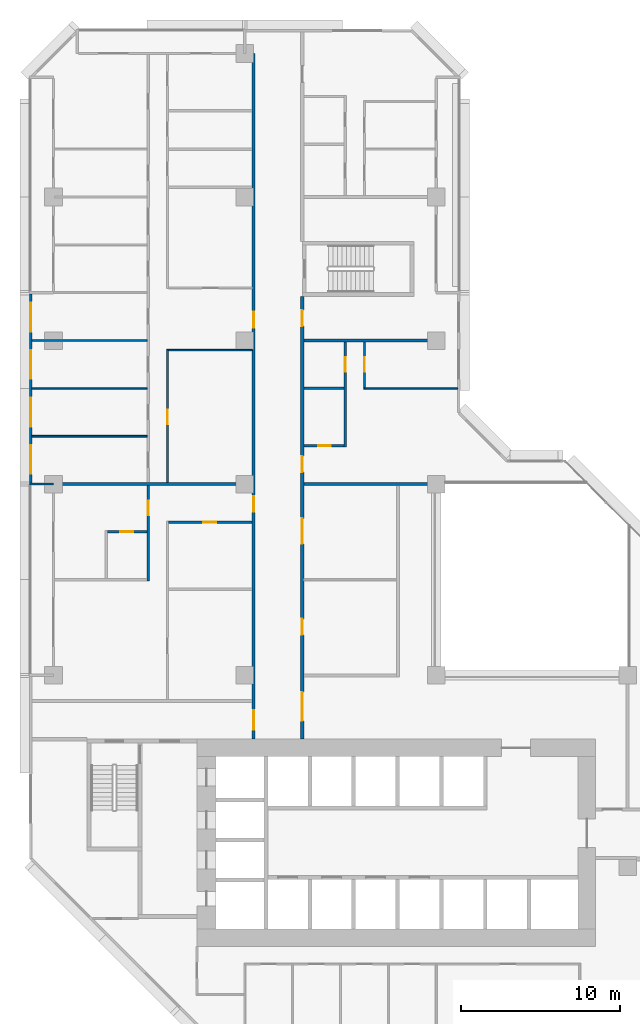
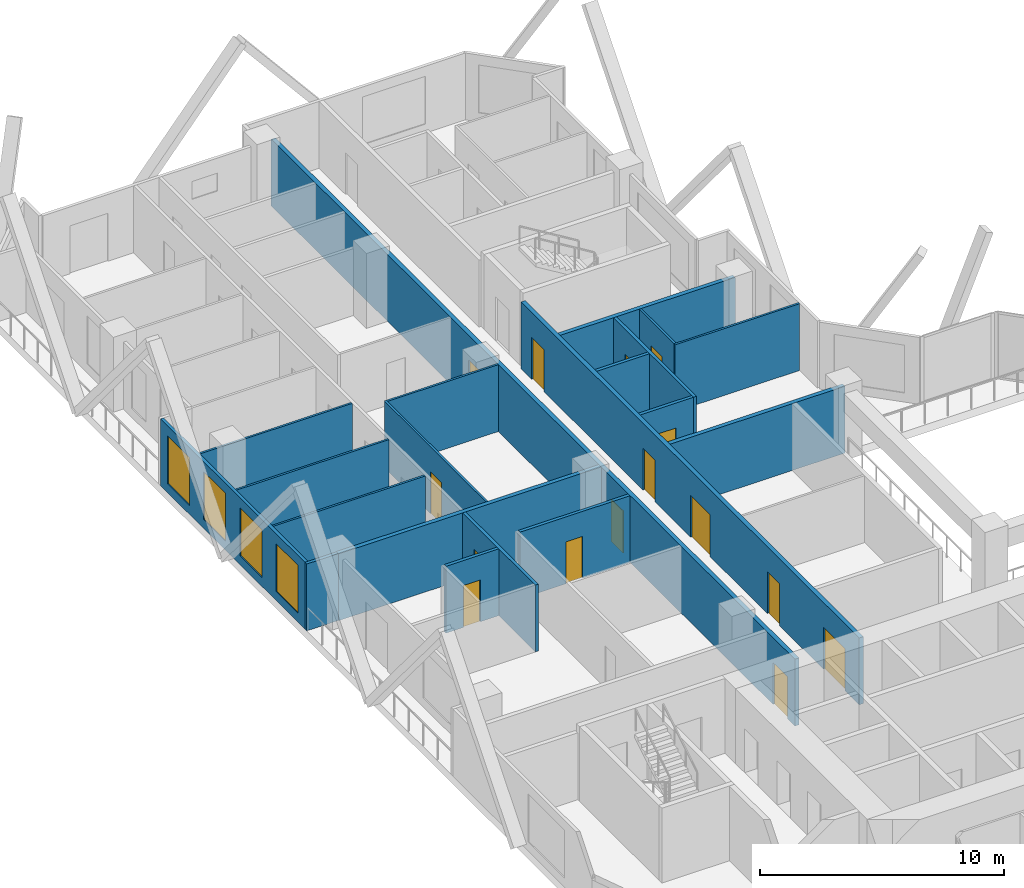
# One storey, part 8 of 15: 20 walls, 15 doors, 4 windows, 19 openings.
"""IFC4 building model written with IfcOpenShell, lengths in metres."""

from ifc_helpers import new_model, si_unit, direction, frame, frame_2d, origin, place, context, subcontext, project, spatial, rectangle, extrude, material, layer, layer_set, type_object, element, fill, save


model = new_model("IFC4")

# Units and contexts
model_context = context("Model", 3, precision=1e-05, world=origin(), true_north=direction((0.0, 1.0)))
body_context = subcontext(model_context, "Body", "Model", "MODEL_VIEW")
ifc_project = project(units=[si_unit("LENGTHUNIT", "METRE"), si_unit("AREAUNIT", "SQUARE_METRE"), si_unit("VOLUMEUNIT", "CUBIC_METRE"), si_unit("PLANEANGLEUNIT", "RADIAN"), si_unit("MASSUNIT", "GRAM", prefix="KILO")], contexts=[model_context])

# Site, building, storey
site_placement = place(None, origin())
site = spatial("IfcSite", under=ifc_project, at=site_placement, CompositionType="ELEMENT")
building_placement = place(site_placement, origin())
building = spatial("IfcBuilding", under=site, at=building_placement, Name="Chenar Terraces", CompositionType="ELEMENT")
storey_placement = place(building_placement, frame((0.0, 0.0, 63.89990234375)))
storey = spatial("IfcBuildingStorey", under=building, at=storey_placement, Name="L13", CompositionType="ELEMENT", Elevation=63.89990234375)

# Wall, openings, doors
ifc_material_1 = material(Name="Gypsum board on steel studs with fire boards", Category="steel")
ifc_layer_1 = layer(ifc_material_1, 0.199951171875)
ifc_layer_set_1 = layer_set([ifc_layer_1], Name="Gypsum board on steel studs with fire boards")
wall_type_1 = type_object("IfcWallType", Name="Corridor wall 200", PredefinedType="PARTITIONING", material=ifc_layer_set_1)
wall_1_placement = place(storey_placement, frame((12.550048828125, 20.0, 0.0), z_axis=(0.0, 0.0, 1.0), x_axis=(0.0, 1.0, 0.0)))
wall_1 = element("IfcWall", 1, at=wall_1_placement, inside=storey, type_object=wall_type_1, Name="Partition L13-031", PredefinedType="PARTITIONING", context=body_context, shape_type="SweptSolid", body=[
    extrude(rectangle(XDim=43.0, YDim=0.199951171875, at=frame_2d((21.5, 0.0))), origin(), (0.0, 0.0, 1.0), 3.35009765625),
])
opening_1_placement = place(wall_1_placement, frame((25.800048828125, 0.0, 0.0)))
opening_1 = element("IfcOpeningElement", 2, at=opening_1_placement, cuts=wall_1, Name="Opening DL13-36", PredefinedType="OPENING", context=body_context, shape_type="SweptSolid", body=[
    extrude(rectangle(XDim=1.0, YDim=2.10009765625, at=frame_2d((0.5, 1.050048828125))), frame((0.0, 0.10986328125, 0.0), z_axis=(0.0, -1.0, 0.0), x_axis=(1.0, 0.0, 0.0)), (0.0, 0.0, 1.0), 0.219970703125),
])
opening_2_placement = place(wall_1_placement, frame((0.60009765625, 0.0, 0.0)))
opening_2 = element("IfcOpeningElement", 3, at=opening_2_placement, cuts=wall_1, Name="Opening DL13-45", PredefinedType="OPENING", context=body_context, shape_type="SweptSolid", body=[
    extrude(rectangle(XDim=1.199951171875, YDim=2.10009765625, at=frame_2d((0.60009765625, 1.050048828125))), frame((0.0, 0.10986328125, 0.0), z_axis=(0.0, -1.0, 0.0), x_axis=(1.0, 0.0, 0.0)), (0.0, 0.0, 1.0), 0.219970703125),
])
opening_3_placement = place(wall_1_placement, frame((14.25, 0.0, 0.0)))
opening_3 = element("IfcOpeningElement", 4, at=opening_3_placement, cuts=wall_1, Name="Opening DL13-68", PredefinedType="OPENING", context=body_context, shape_type="SweptSolid", body=[
    extrude(rectangle(XDim=1.0, YDim=2.10009765625, at=frame_2d((0.5, 1.050048828125))), frame((0.0, 0.10986328125, 0.0), z_axis=(0.0, -1.0, 0.0), x_axis=(1.0, 0.0, 0.0)), (0.0, 0.0, 1.0), 0.219970703125),
])
ifc_material_2 = material(Name="Steel-framed fire-resisting door leaf", Category="steel")
door_type_1 = type_object("IfcDoorType", Name="Fire door FD30S 1000 x 2100", OperationType="SINGLE_SWING_LEFT", PredefinedType="DOOR", material=ifc_material_2)
door_1_placement = place(opening_1_placement, origin())
door_1 = element("IfcDoor", 5, at=door_1_placement, inside=storey, type_object=door_type_1, Name="Door DL13-36", OperationType="SINGLE_SWING_LEFT", OverallHeight=2.10009765625, OverallWidth=1.0, PredefinedType="DOOR", context=body_context, shape_type="SweptSolid", body=[
    extrude(rectangle(XDim=1.0, YDim=2.10009765625, at=frame_2d((0.5, 1.050048828125))), frame((0.0, 0.02490234375, 0.0), z_axis=(0.0, -1.0, 0.0), x_axis=(1.0, 0.0, 0.0)), (0.0, 0.0, 1.0), 0.050048828125),
])
fill(opening_1, door_1)
door_2_placement = place(opening_3_placement, origin())
door_2 = element("IfcDoor", 6, at=door_2_placement, inside=storey, type_object=door_type_1, Name="Door DL13-68", OperationType="SINGLE_SWING_RIGHT", OverallHeight=2.10009765625, OverallWidth=1.0, PredefinedType="DOOR", context=body_context, shape_type="SweptSolid", body=[
    extrude(rectangle(XDim=1.0, YDim=2.10009765625, at=frame_2d((0.5, 1.050048828125))), frame((0.0, 0.02490234375, 0.0), z_axis=(0.0, -1.0, 0.0), x_axis=(1.0, 0.0, 0.0)), (0.0, 0.0, 1.0), 0.050048828125),
])
fill(opening_3, door_2)
ifc_material_3 = material(Name="Steel-framed fire-resisting door leaf", Category="steel")
door_type_2 = type_object("IfcDoorType", Name="Fire door FD30S 1200 x 2100", OperationType="SINGLE_SWING_LEFT", PredefinedType="DOOR", material=ifc_material_3)
door_3_placement = place(opening_2_placement, origin())
door_3 = element("IfcDoor", 7, at=door_3_placement, inside=storey, type_object=door_type_2, Name="Door DL13-45", OperationType="SINGLE_SWING_RIGHT", OverallHeight=2.10009765625, OverallWidth=1.199951171875, PredefinedType="DOOR", context=body_context, shape_type="SweptSolid", body=[
    extrude(rectangle(XDim=1.199951171875, YDim=2.10009765625, at=frame_2d((0.60009765625, 1.050048828125))), frame((0.0, 0.02490234375, 0.0), z_axis=(0.0, -1.0, 0.0), x_axis=(1.0, 0.0, 0.0)), (0.0, 0.0, 1.0), 0.050048828125),
])
fill(opening_2, door_3)

wall_2_placement = place(storey_placement, frame((15.60009765625, 20.0, 0.0), z_axis=(0.0, 0.0, 1.0), x_axis=(0.0, 1.0, 0.0)))
wall_2 = element("IfcWall", 8, at=wall_2_placement, inside=storey, type_object=wall_type_1, Name="Partition L13-033", PredefinedType="PARTITIONING", context=body_context, shape_type="SweptSolid", body=[
    extrude(rectangle(XDim=27.77490234375, YDim=0.199951171875, at=frame_2d((13.887451171875, 0.0))), origin(), (0.0, 0.0, 1.0), 3.35009765625),
])
opening_4_placement = place(wall_2_placement, frame((6.550048828125, 0.0, 0.0)))
opening_4 = element("IfcOpeningElement", 9, at=opening_4_placement, cuts=wall_2, Name="Opening DL13-1", PredefinedType="OPENING", context=body_context, shape_type="SweptSolid", body=[
    extrude(rectangle(XDim=1.0, YDim=2.10009765625, at=frame_2d((0.5, 1.050048828125))), frame((0.0, 0.10986328125, 0.0), z_axis=(0.0, -1.0, 0.0), x_axis=(1.0, 0.0, 0.0)), (0.0, 0.0, 1.0), 0.219970703125),
])
opening_5_placement = place(wall_2_placement, frame((12.25, 0.0, 0.0)))
opening_5 = element("IfcOpeningElement", 10, at=opening_5_placement, cuts=wall_2, Name="Opening DL13-2", PredefinedType="OPENING", context=body_context, shape_type="SweptSolid", body=[
    extrude(rectangle(XDim=1.60009765625, YDim=2.10009765625, at=frame_2d((0.800048828125, 1.050048828125))), frame((0.0, 0.10986328125, 0.0), z_axis=(0.0, -1.0, 0.0), x_axis=(1.0, 0.0, 0.0)), (0.0, 0.0, 1.0), 0.219970703125),
])
opening_6_placement = place(wall_2_placement, frame((16.75, 0.0, 0.0)))
opening_6 = element("IfcOpeningElement", 11, at=opening_6_placement, cuts=wall_2, Name="Opening DL13-23", PredefinedType="OPENING", context=body_context, shape_type="SweptSolid", body=[
    extrude(rectangle(XDim=1.0, YDim=2.10009765625, at=frame_2d((0.5, 1.050048828125))), frame((0.0, 0.10986328125, 0.0), z_axis=(0.0, -1.0, 0.0), x_axis=(1.0, 0.0, 0.0)), (0.0, 0.0, 1.0), 0.219970703125),
])
opening_7_placement = place(wall_2_placement, frame((1.14990234375, 0.0, 0.0)))
opening_7 = element("IfcOpeningElement", 12, at=opening_7_placement, cuts=wall_2, Name="Opening DL13-44", PredefinedType="OPENING", context=body_context, shape_type="SweptSolid", body=[
    extrude(rectangle(XDim=1.800048828125, YDim=2.10009765625, at=frame_2d((0.89990234375, 1.050048828125))), frame((0.0, 0.10986328125, 0.0), z_axis=(0.0, -1.0, 0.0), x_axis=(1.0, 0.0, 0.0)), (0.0, 0.0, 1.0), 0.219970703125),
])
opening_8_placement = place(wall_2_placement, frame((25.89990234375, 0.0, 0.0)))
opening_8 = element("IfcOpeningElement", 13, at=opening_8_placement, cuts=wall_2, Name="Opening DL13-47", PredefinedType="OPENING", context=body_context, shape_type="SweptSolid", body=[
    extrude(rectangle(XDim=1.0, YDim=2.10009765625, at=frame_2d((0.5, 1.050048828125))), frame((0.0, 0.10986328125, 0.0), z_axis=(0.0, -1.0, 0.0), x_axis=(1.0, 0.0, 0.0)), (0.0, 0.0, 1.0), 0.219970703125),
])
ifc_material_4 = material(Name="Steel-framed fire-resisting door leaf", Category="steel")
door_type_3 = type_object("IfcDoorType", Name="Fire door FD60 1000 x 2100", OperationType="SINGLE_SWING_LEFT", PredefinedType="DOOR", material=ifc_material_4)
door_4_placement = place(opening_4_placement, frame((1.0, 0.0, 0.0), z_axis=(0.0, 0.0, 1.0), x_axis=(-1.0, 0.0, 0.0)))
door_4 = element("IfcDoor", 14, at=door_4_placement, inside=storey, type_object=door_type_3, Name="Door DL13-1", OperationType="SINGLE_SWING_LEFT", OverallHeight=2.10009765625, OverallWidth=1.0, PredefinedType="DOOR", context=body_context, shape_type="SweptSolid", body=[
    extrude(rectangle(XDim=1.0, YDim=2.10009765625, at=frame_2d((0.5, 1.050048828125))), frame((0.0, 0.02490234375, 0.0), z_axis=(0.0, -1.0, 0.0), x_axis=(1.0, 0.0, 0.0)), (0.0, 0.0, 1.0), 0.050048828125),
])
fill(opening_4, door_4)
door_5_placement = place(opening_6_placement, frame((1.0, 0.0, 0.0), z_axis=(0.0, 0.0, 1.0), x_axis=(-1.0, 0.0, 0.0)))
door_5 = element("IfcDoor", 15, at=door_5_placement, inside=storey, type_object=door_type_3, Name="Door DL13-23", OperationType="SINGLE_SWING_LEFT", OverallHeight=2.10009765625, OverallWidth=1.0, PredefinedType="DOOR", context=body_context, shape_type="SweptSolid", body=[
    extrude(rectangle(XDim=1.0, YDim=2.10009765625, at=frame_2d((0.5, 1.050048828125))), frame((0.0, 0.02490234375, 0.0), z_axis=(0.0, -1.0, 0.0), x_axis=(1.0, 0.0, 0.0)), (0.0, 0.0, 1.0), 0.050048828125),
])
fill(opening_6, door_5)
door_6_placement = place(opening_8_placement, frame((1.0, 0.0, 0.0), z_axis=(0.0, 0.0, 1.0), x_axis=(-1.0, 0.0, 0.0)))
door_6 = element("IfcDoor", 16, at=door_6_placement, inside=storey, type_object=door_type_3, Name="Door DL13-47", OperationType="SINGLE_SWING_RIGHT", OverallHeight=2.10009765625, OverallWidth=1.0, PredefinedType="DOOR", context=body_context, shape_type="SweptSolid", body=[
    extrude(rectangle(XDim=1.0, YDim=2.10009765625, at=frame_2d((0.5, 1.050048828125))), frame((0.0, 0.02490234375, 0.0), z_axis=(0.0, -1.0, 0.0), x_axis=(1.0, 0.0, 0.0)), (0.0, 0.0, 1.0), 0.050048828125),
])
fill(opening_8, door_6)
ifc_material_5 = material(Name="Steel-framed fire-resisting door leaf", Category="steel")
door_type_4 = type_object("IfcDoorType", Name="Fire double door FD60 1600 x 2100", OperationType="DOUBLE_DOOR_SINGLE_SWING", PredefinedType="DOOR", material=ifc_material_5)
door_7_placement = place(opening_5_placement, frame((1.60009765625, 0.0, 0.0), z_axis=(0.0, 0.0, 1.0), x_axis=(-1.0, 0.0, 0.0)))
door_7 = element("IfcDoor", 17, at=door_7_placement, inside=storey, type_object=door_type_4, Name="Door DL13-2", OperationType="DOUBLE_DOOR_SINGLE_SWING", OverallHeight=2.10009765625, OverallWidth=1.60009765625, PredefinedType="DOOR", context=body_context, shape_type="SweptSolid", body=[
    extrude(rectangle(XDim=1.60009765625, YDim=2.10009765625, at=frame_2d((0.800048828125, 1.050048828125))), frame((0.0, 0.02490234375, 0.0), z_axis=(0.0, -1.0, 0.0), x_axis=(1.0, 0.0, 0.0)), (0.0, 0.0, 1.0), 0.050048828125),
])
fill(opening_5, door_7)
ifc_material_6 = material(Name="Steel-framed fire-resisting door leaf", Category="steel")
door_type_5 = type_object("IfcDoorType", Name="Fire double door FD60 1800 x 2100", OperationType="DOUBLE_DOOR_SINGLE_SWING", PredefinedType="DOOR", material=ifc_material_6)
door_8_placement = place(opening_7_placement, frame((1.800048828125, 0.0, 0.0), z_axis=(0.0, 0.0, 1.0), x_axis=(-1.0, 0.0, 0.0)))
door_8 = element("IfcDoor", 18, at=door_8_placement, inside=storey, type_object=door_type_5, Name="Door DL13-44", OperationType="DOUBLE_DOOR_SINGLE_SWING", OverallHeight=2.10009765625, OverallWidth=1.800048828125, PredefinedType="DOOR", context=body_context, shape_type="SweptSolid", body=[
    extrude(rectangle(XDim=1.800048828125, YDim=2.10009765625, at=frame_2d((0.89990234375, 1.050048828125))), frame((0.0, 0.02490234375, 0.0), z_axis=(0.0, -1.0, 0.0), x_axis=(1.0, 0.0, 0.0)), (0.0, 0.0, 1.0), 0.050048828125),
])
fill(opening_7, door_8)

# Wall, openings, windows
ifc_material_7 = material(Name="Aluminium framed glazing", Category="aluminium")
ifc_layer_2 = layer(ifc_material_7, 0.14990234375)
ifc_layer_set_2 = layer_set([ifc_layer_2], Name="Aluminium framed glazing")
wall_type_2 = type_object("IfcWallType", Name="Glazed flush facade wall 150", PredefinedType="SOLIDWALL", material=ifc_layer_set_2)
wall_3_placement = place(storey_placement, frame((-1.425048828125, 47.925048828125, 0.0), z_axis=(0.0, 0.0, 1.0), x_axis=(0.0, -1.0, 0.0)))
wall_3 = element("IfcWall", 19, at=wall_3_placement, inside=storey, type_object=wall_type_2, Name="Glazed flush facade wall", PredefinedType="SOLIDWALL", context=body_context, shape_type="SweptSolid", body=[
    extrude(rectangle(XDim=11.85009765625, YDim=0.14990234375, at=frame_2d((5.925048828125, 0.0))), origin(), (0.0, 0.0, 1.0), 3.35009765625),
])
opening_9_placement = place(wall_3_placement, frame((0.5625, 0.0, 0.449951171875)))
opening_9 = element("IfcOpeningElement", 20, at=opening_9_placement, cuts=wall_3, Name="Opening W180x240", PredefinedType="OPENING", context=body_context, shape_type="SweptSolid", body=[
    extrude(rectangle(XDim=1.800048828125, YDim=2.39990234375, at=frame_2d((0.89990234375, 1.199951171875))), frame((0.0, 0.0849609375, 0.0), z_axis=(0.0, -1.0, 0.0), x_axis=(1.0, 0.0, 0.0)), (0.0, 0.0, 1.0), 0.169921875),
])
opening_10_placement = place(wall_3_placement, frame((3.52490234375, 0.0, 0.449951171875)))
opening_10 = element("IfcOpeningElement", 21, at=opening_10_placement, cuts=wall_3, Name="Opening W180x240", PredefinedType="OPENING", context=body_context, shape_type="SweptSolid", body=[
    extrude(rectangle(XDim=1.800048828125, YDim=2.39990234375, at=frame_2d((0.89990234375, 1.199951171875))), frame((0.0, 0.0849609375, 0.0), z_axis=(0.0, -1.0, 0.0), x_axis=(1.0, 0.0, 0.0)), (0.0, 0.0, 1.0), 0.169921875),
])
opening_11_placement = place(wall_3_placement, frame((6.52490234375, 0.0, 0.449951171875)))
opening_11 = element("IfcOpeningElement", 22, at=opening_11_placement, cuts=wall_3, Name="Opening W180x240", PredefinedType="OPENING", context=body_context, shape_type="SweptSolid", body=[
    extrude(rectangle(XDim=1.800048828125, YDim=2.39990234375, at=frame_2d((0.89990234375, 1.199951171875))), frame((0.0, 0.0849609375, 0.0), z_axis=(0.0, -1.0, 0.0), x_axis=(1.0, 0.0, 0.0)), (0.0, 0.0, 1.0), 0.169921875),
])
opening_12_placement = place(wall_3_placement, frame((9.487548828125, 0.0, 0.449951171875)))
opening_12 = element("IfcOpeningElement", 23, at=opening_12_placement, cuts=wall_3, Name="Opening W180x240", PredefinedType="OPENING", context=body_context, shape_type="SweptSolid", body=[
    extrude(rectangle(XDim=1.800048828125, YDim=2.39990234375, at=frame_2d((0.89990234375, 1.199951171875))), frame((0.0, 0.0849609375, 0.0), z_axis=(0.0, -1.0, 0.0), x_axis=(1.0, 0.0, 0.0)), (0.0, 0.0, 1.0), 0.169921875),
])
ifc_material_8 = material(Name="Low emissivity double glazing, aluminium frame", Category="aluminium")
window_type = type_object("IfcWindowType", Name="Fixed light 1800 x 2400", PartitioningType="SINGLE_PANEL", PredefinedType="WINDOW", material=ifc_material_8)
window_1_placement = place(opening_9_placement, origin())
window_1 = element("IfcWindow", 24, at=window_1_placement, inside=storey, type_object=window_type, Name="Window", OverallHeight=2.39990234375, OverallWidth=1.800048828125, PartitioningType="SINGLE_PANEL", PredefinedType="WINDOW", context=body_context, shape_type="SweptSolid", body=[
    extrude(rectangle(XDim=1.800048828125, YDim=2.39990234375, at=frame_2d((0.89990234375, 1.199951171875))), frame((0.0, 0.030029296875, 0.0), z_axis=(0.0, -1.0, 0.0), x_axis=(1.0, 0.0, 0.0)), (0.0, 0.0, 1.0), 0.06005859375),
])
fill(opening_9, window_1)
window_2_placement = place(opening_10_placement, origin())
window_2 = element("IfcWindow", 25, at=window_2_placement, inside=storey, type_object=window_type, Name="Window", OverallHeight=2.39990234375, OverallWidth=1.800048828125, PartitioningType="SINGLE_PANEL", PredefinedType="WINDOW", context=body_context, shape_type="SweptSolid", body=[
    extrude(rectangle(XDim=1.800048828125, YDim=2.39990234375, at=frame_2d((0.89990234375, 1.199951171875))), frame((0.0, 0.030029296875, 0.0), z_axis=(0.0, -1.0, 0.0), x_axis=(1.0, 0.0, 0.0)), (0.0, 0.0, 1.0), 0.06005859375),
])
fill(opening_10, window_2)
window_3_placement = place(opening_11_placement, origin())
window_3 = element("IfcWindow", 26, at=window_3_placement, inside=storey, type_object=window_type, Name="Window", OverallHeight=2.39990234375, OverallWidth=1.800048828125, PartitioningType="SINGLE_PANEL", PredefinedType="WINDOW", context=body_context, shape_type="SweptSolid", body=[
    extrude(rectangle(XDim=1.800048828125, YDim=2.39990234375, at=frame_2d((0.89990234375, 1.199951171875))), frame((0.0, 0.030029296875, 0.0), z_axis=(0.0, -1.0, 0.0), x_axis=(1.0, 0.0, 0.0)), (0.0, 0.0, 1.0), 0.06005859375),
])
fill(opening_11, window_3)
window_4_placement = place(opening_12_placement, origin())
window_4 = element("IfcWindow", 27, at=window_4_placement, inside=storey, type_object=window_type, Name="Window", OverallHeight=2.39990234375, OverallWidth=1.800048828125, PartitioningType="SINGLE_PANEL", PredefinedType="WINDOW", context=body_context, shape_type="SweptSolid", body=[
    extrude(rectangle(XDim=1.800048828125, YDim=2.39990234375, at=frame_2d((0.89990234375, 1.199951171875))), frame((0.0, 0.030029296875, 0.0), z_axis=(0.0, -1.0, 0.0), x_axis=(1.0, 0.0, 0.0)), (0.0, 0.0, 1.0), 0.06005859375),
])
fill(opening_12, window_4)

# Walls
ifc_material_9 = material(Name="Gypsum board on steel studs", Category="steel")
ifc_layer_3 = layer(ifc_material_9, 0.10009765625)
ifc_layer_set_3 = layer_set([ifc_layer_3], Name="Gypsum board on steel studs")
wall_type_3 = type_object("IfcWallType", Name="Gypsum partition 100", PredefinedType="PARTITIONING", material=ifc_layer_set_3)
for number, where, z_axis, x_axis, name in (
    (28, (-1.35107421875, 39.0, 0.0), (0.0, 0.0, 1.0), (1.0, 0.0, 0.0), "Partition L13-001"),
    (29, (-1.35107421875, 42.0, 0.0), (0.0, 0.0, 1.0), (1.0, 0.0, 0.0), "Partition L13-002"),
    (30, (-1.35107421875, 45.0, 0.0), (0.0, 0.0, 1.0), (1.0, 0.0, 0.0), "Partition L13-003"),
):
    element("IfcWall", number, at=place(storey_placement, frame(where, z_axis=z_axis, x_axis=x_axis)), inside=storey, type_object=wall_type_3, Name=name, PredefinedType="PARTITIONING", context=body_context, shape_type="SweptSolid", body=[
        extrude(rectangle(XDim=7.22607421875, YDim=0.10009765625, at=frame_2d((3.613037109375, 0.0))), origin(), (0.0, 0.0, 1.0), 3.35009765625),
    ])

# Wall, opening, door
wall_4_placement = place(storey_placement, frame((7.14990234375, 36.10009765625, 0.0), z_axis=(0.0, 0.0, 1.0), x_axis=(0.0, 1.0, 0.0)))
wall_4 = element("IfcWall", 31, at=wall_4_placement, inside=storey, type_object=wall_type_3, Name="Partition L13-018", PredefinedType="PARTITIONING", context=body_context, shape_type="SweptSolid", body=[
    extrude(rectangle(XDim=8.349853515625, YDim=0.10009765625, at=frame_2d((4.1748046875, 0.0))), origin(), (0.0, 0.0, 1.0), 3.35009765625),
])
opening_13_placement = place(wall_4_placement, frame((3.64990234375, 0.0, 0.0)))
opening_13 = element("IfcOpeningElement", 32, at=opening_13_placement, cuts=wall_4, Name="Opening DL13-35", PredefinedType="OPENING", context=body_context, shape_type="SweptSolid", body=[
    extrude(rectangle(XDim=0.89990234375, YDim=2.10009765625, at=frame_2d((0.449951171875, 1.050048828125))), frame((0.0, 0.06005859375, 0.0), z_axis=(0.0, -1.0, 0.0), x_axis=(1.0, 0.0, 0.0)), (0.0, 0.0, 1.0), 0.1201171875),
])
ifc_material_10 = material(Name="Veneered timber door leaf", Category="wood")
door_type_6 = type_object("IfcDoorType", Name="Door 900 x 2100", OperationType="SINGLE_SWING_LEFT", PredefinedType="DOOR", material=ifc_material_10)
door_9_placement = place(opening_13_placement, frame((0.89990234375, 0.0, 0.0), z_axis=(0.0, 0.0, 1.0), x_axis=(-1.0, 0.0, 0.0)))
door_9 = element("IfcDoor", 33, at=door_9_placement, inside=storey, type_object=door_type_6, Name="Door DL13-35", OperationType="SINGLE_SWING_LEFT", OverallHeight=2.10009765625, OverallWidth=0.89990234375, PredefinedType="DOOR", context=body_context, shape_type="SweptSolid", body=[
    extrude(rectangle(XDim=0.89990234375, YDim=2.10009765625, at=frame_2d((0.449951171875, 1.050048828125))), frame((0.0, 0.02490234375, 0.0), z_axis=(0.0, -1.0, 0.0), x_axis=(1.0, 0.0, 0.0)), (0.0, 0.0, 1.0), 0.050048828125),
])
fill(opening_13, door_9)

# Walls
wall_5_placement = place(storey_placement, frame((7.199951171875, 44.39990234375, 0.0), z_axis=(0.0, 0.0, 1.0), x_axis=(1.0, 0.0, 0.0)))
element("IfcWall", 34, at=wall_5_placement, inside=storey, type_object=wall_type_3, Name="Partition L13-020", PredefinedType="PARTITIONING", context=body_context, shape_type="SweptSolid", body=[
    extrude(rectangle(XDim=5.25, YDim=0.10009765625, at=frame_2d((2.625, 0.0))), origin(), (0.0, 0.0, 1.0), 3.35009765625),
])
wall_6_placement = place(storey_placement, frame((19.449951171875, 42.0, 0.0), z_axis=(0.0, 0.0, 1.0), x_axis=(1.0, 0.0, 0.0)))
element("IfcWall", 35, at=wall_6_placement, inside=storey, type_object=wall_type_3, Name="Partition L13-047", PredefinedType="PARTITIONING", context=body_context, shape_type="SweptSolid", body=[
    extrude(rectangle(XDim=5.900146484375, YDim=0.10009765625, at=frame_2d((2.9501953125, 0.0))), origin(), (0.0, 0.0, 1.0), 3.35009765625),
])

# Wall, opening, door
wall_7_placement = place(storey_placement, frame((19.5, 42.050048828125, 0.0), z_axis=(0.0, 0.0, 1.0), x_axis=(0.0, 1.0, 0.0)))
wall_7 = element("IfcWall", 36, at=wall_7_placement, inside=storey, type_object=wall_type_3, Name="Partition L13-048", PredefinedType="PARTITIONING", context=body_context, shape_type="SweptSolid", body=[
    extrude(rectangle(XDim=2.849853515625, YDim=0.10009765625, at=frame_2d((1.4248046875, 0.0))), origin(), (0.0, 0.0, 1.0), 3.35009765625),
])
opening_14_placement = place(wall_7_placement, frame((1.0, 0.0, 0.0)))
opening_14 = element("IfcOpeningElement", 37, at=opening_14_placement, cuts=wall_7, Name="Opening DL13-21", PredefinedType="OPENING", context=body_context, shape_type="SweptSolid", body=[
    extrude(rectangle(XDim=0.89990234375, YDim=2.10009765625, at=frame_2d((0.449951171875, 1.050048828125))), frame((0.0, 0.06005859375, 0.0), z_axis=(0.0, -1.0, 0.0), x_axis=(1.0, 0.0, 0.0)), (0.0, 0.0, 1.0), 0.1201171875),
])
door_10_placement = place(opening_14_placement, frame((0.89990234375, 0.0, 0.0), z_axis=(0.0, 0.0, 1.0), x_axis=(-1.0, 0.0, 0.0)))
door_10 = element("IfcDoor", 38, at=door_10_placement, inside=storey, type_object=door_type_6, Name="Door DL13-21", OperationType="SINGLE_SWING_LEFT", OverallHeight=2.10009765625, OverallWidth=0.89990234375, PredefinedType="DOOR", context=body_context, shape_type="SweptSolid", body=[
    extrude(rectangle(XDim=0.89990234375, YDim=2.10009765625, at=frame_2d((0.449951171875, 1.050048828125))), frame((0.0, 0.02490234375, 0.0), z_axis=(0.0, -1.0, 0.0), x_axis=(1.0, 0.0, 0.0)), (0.0, 0.0, 1.0), 0.050048828125),
])
fill(opening_14, door_10)

# Walls
ifc_material_11 = material(Name="Terracotta cladding on insulated backing", Category="masonry")
ifc_layer_4 = layer(ifc_material_11, 0.14990234375)
ifc_layer_set_4 = layer_set([ifc_layer_4], Name="Terracotta cladding on insulated backing")
wall_type_4 = type_object("IfcWallType", Name="Loggia return wall 150", PredefinedType="SOLIDWALL", material=ifc_layer_set_4)
wall_8_placement = place(storey_placement, frame((-1.5, 36.0, 0.0), z_axis=(0.0, 0.0, 1.0), x_axis=(1.0, 0.0, 0.0)))
element("IfcWall", 39, at=wall_8_placement, inside=storey, type_object=wall_type_4, Name="Loggia return wall", PredefinedType="SOLIDWALL", context=body_context, shape_type="SweptSolid", body=[
    extrude(rectangle(XDim=1.5, YDim=0.14990234375, at=frame_2d((0.75, 0.0))), origin(), (0.0, 0.0, 1.0), 3.35009765625),
])
ifc_material_12 = material(Name="Twin gypsum board on steel studs with mineral wool", Category="steel")
ifc_layer_5 = layer(ifc_material_12, 0.199951171875)
ifc_layer_set_5 = layer_set([ifc_layer_5], Name="Twin gypsum board on steel studs with mineral wool")
wall_type_5 = type_object("IfcWallType", Name="Unit demising wall 200", PredefinedType="PARTITIONING", material=ifc_layer_set_5)
wall_9_placement = place(storey_placement, frame((0.0, 36.0, 0.0), z_axis=(0.0, 0.0, 1.0), x_axis=(1.0, 0.0, 0.0)))
element("IfcWall", 40, at=wall_9_placement, inside=storey, type_object=wall_type_5, Name="Partition L13-006", PredefinedType="PARTITIONING", context=body_context, shape_type="SweptSolid", body=[
    extrude(rectangle(XDim=12.449951171875, YDim=0.199951171875, at=frame_2d((6.22509765625, 0.0))), origin(), (0.0, 0.0, 1.0), 3.35009765625),
])
for number, where, z_axis, x_axis, name in (
    (41, (15.699951171875, 36.0, 0.0), (0.0, 0.0, 1.0), (1.0, 0.0, 0.0), "Partition L13-037"),
    (42, (15.699951171875, 45.0, 0.0), (0.0, 0.0, 1.0), (1.0, 0.0, 0.0), "Partition L13-040"),
):
    element("IfcWall", number, at=place(storey_placement, frame(where, z_axis=z_axis, x_axis=x_axis)), inside=storey, type_object=wall_type_5, Name=name, PredefinedType="PARTITIONING", context=body_context, shape_type="SweptSolid", body=[
        extrude(rectangle(XDim=8.300048828125, YDim=0.199951171875, at=frame_2d((4.14990234375, 0.0))), origin(), (0.0, 0.0, 1.0), 3.35009765625),
    ])

# Wall, opening, door
ifc_material_13 = material(Name="Moisture-resistant gypsum board on steel studs", Category="steel")
ifc_layer_6 = layer(ifc_material_13, 0.14990234375)
ifc_layer_set_6 = layer_set([ifc_layer_6], Name="Moisture-resistant gypsum board on steel studs")
wall_type_6 = type_object("IfcWallType", Name="Wet-room partition 150", PredefinedType="PARTITIONING", material=ifc_layer_set_6)
wall_10_placement = place(storey_placement, frame((3.375, 33.0, 0.0), z_axis=(0.0, 0.0, 1.0), x_axis=(1.0, 0.0, 0.0)))
wall_10 = element("IfcWall", 43, at=wall_10_placement, inside=storey, type_object=wall_type_6, Name="Partition L13-014", PredefinedType="PARTITIONING", context=body_context, shape_type="SweptSolid", body=[
    extrude(rectangle(XDim=2.5, YDim=0.14990234375, at=frame_2d((1.25, 0.0))), origin(), (0.0, 0.0, 1.0), 3.35009765625),
])
opening_15_placement = place(wall_10_placement, frame((0.824951171875, 0.0, 0.0)))
opening_15 = element("IfcOpeningElement", 44, at=opening_15_placement, cuts=wall_10, Name="Opening DL13-66", PredefinedType="OPENING", context=body_context, shape_type="SweptSolid", body=[
    extrude(rectangle(XDim=0.800048828125, YDim=2.10009765625, at=frame_2d((0.39990234375, 1.050048828125))), frame((0.0, 0.0849609375, 0.0), z_axis=(0.0, -1.0, 0.0), x_axis=(1.0, 0.0, 0.0)), (0.0, 0.0, 1.0), 0.169921875),
])
ifc_material_14 = material(Name="Veneered timber door leaf", Category="wood")
door_type_7 = type_object("IfcDoorType", Name="Door 800 x 2100", OperationType="SINGLE_SWING_LEFT", PredefinedType="DOOR", material=ifc_material_14)
door_11_placement = place(opening_15_placement, frame((0.800048828125, 0.0, 0.0), z_axis=(0.0, 0.0, 1.0), x_axis=(-1.0, 0.0, 0.0)))
door_11 = element("IfcDoor", 45, at=door_11_placement, inside=storey, type_object=door_type_7, Name="Door DL13-66", OperationType="SINGLE_SWING_LEFT", OverallHeight=2.10009765625, OverallWidth=0.800048828125, PredefinedType="DOOR", context=body_context, shape_type="SweptSolid", body=[
    extrude(rectangle(XDim=0.800048828125, YDim=2.10009765625, at=frame_2d((0.39990234375, 1.050048828125))), frame((0.0, 0.02490234375, 0.0), z_axis=(0.0, -1.0, 0.0), x_axis=(1.0, 0.0, 0.0)), (0.0, 0.0, 1.0), 0.050048828125),
])
fill(opening_15, door_11)

wall_11_placement = place(storey_placement, frame((5.949951171875, 29.925048828125, 0.0), z_axis=(0.0, 0.0, 1.0), x_axis=(0.0, 1.0, 0.0)))
wall_11 = element("IfcWall", 46, at=wall_11_placement, inside=storey, type_object=wall_type_6, Name="Partition L13-015", PredefinedType="PARTITIONING", context=body_context, shape_type="SweptSolid", body=[
    extrude(rectangle(XDim=5.974853515625, YDim=0.14990234375, at=frame_2d((2.9873046875, 0.0))), origin(), (0.0, 0.0, 1.0), 3.35009765625),
])
opening_16_placement = place(wall_11_placement, frame((4.125, 0.0, 0.0)))
opening_16 = element("IfcOpeningElement", 47, at=opening_16_placement, cuts=wall_11, Name="Opening DL13-65", PredefinedType="OPENING", context=body_context, shape_type="SweptSolid", body=[
    extrude(rectangle(XDim=0.89990234375, YDim=2.10009765625, at=frame_2d((0.449951171875, 1.050048828125))), frame((0.0, 0.0849609375, 0.0), z_axis=(0.0, -1.0, 0.0), x_axis=(1.0, 0.0, 0.0)), (0.0, 0.0, 1.0), 0.169921875),
])
door_12_placement = place(opening_16_placement, origin())
door_12 = element("IfcDoor", 48, at=door_12_placement, inside=storey, type_object=door_type_6, Name="Door DL13-65", OperationType="SINGLE_SWING_LEFT", OverallHeight=2.10009765625, OverallWidth=0.89990234375, PredefinedType="DOOR", context=body_context, shape_type="SweptSolid", body=[
    extrude(rectangle(XDim=0.89990234375, YDim=2.10009765625, at=frame_2d((0.449951171875, 1.050048828125))), frame((0.0, 0.02490234375, 0.0), z_axis=(0.0, -1.0, 0.0), x_axis=(1.0, 0.0, 0.0)), (0.0, 0.0, 1.0), 0.050048828125),
])
fill(opening_16, door_12)

wall_12_placement = place(storey_placement, frame((7.22509765625, 33.60009765625, 0.0), z_axis=(0.0, 0.0, 1.0), x_axis=(1.0, 0.0, 0.0)))
wall_12 = element("IfcWall", 49, at=wall_12_placement, inside=storey, type_object=wall_type_6, Name="Partition L13-022", PredefinedType="PARTITIONING", context=body_context, shape_type="SweptSolid", body=[
    extrude(rectangle(XDim=5.224853515625, YDim=0.14990234375, at=frame_2d((2.6123046875, 0.0))), origin(), (0.0, 0.0, 1.0), 3.35009765625),
])
opening_17_placement = place(wall_12_placement, frame((2.175048828125, 0.0, 0.0)))
opening_17 = element("IfcOpeningElement", 50, at=opening_17_placement, cuts=wall_12, Name="Opening DL13-64", PredefinedType="OPENING", context=body_context, shape_type="SweptSolid", body=[
    extrude(rectangle(XDim=0.800048828125, YDim=2.10009765625, at=frame_2d((0.39990234375, 1.050048828125))), frame((0.0, 0.0849609375, 0.0), z_axis=(0.0, -1.0, 0.0), x_axis=(1.0, 0.0, 0.0)), (0.0, 0.0, 1.0), 0.169921875),
])
door_13_placement = place(opening_17_placement, frame((0.800048828125, 0.0, 0.0), z_axis=(0.0, 0.0, 1.0), x_axis=(-1.0, 0.0, 0.0)))
door_13 = element("IfcDoor", 51, at=door_13_placement, inside=storey, type_object=door_type_7, Name="Door DL13-64", OperationType="SINGLE_SWING_LEFT", OverallHeight=2.10009765625, OverallWidth=0.800048828125, PredefinedType="DOOR", context=body_context, shape_type="SweptSolid", body=[
    extrude(rectangle(XDim=0.800048828125, YDim=2.10009765625, at=frame_2d((0.39990234375, 1.050048828125))), frame((0.0, 0.02490234375, 0.0), z_axis=(0.0, -1.0, 0.0), x_axis=(1.0, 0.0, 0.0)), (0.0, 0.0, 1.0), 0.050048828125),
])
fill(opening_17, door_13)

wall_13_placement = place(storey_placement, frame((15.699951171875, 38.39990234375, 0.0), z_axis=(0.0, 0.0, 1.0), x_axis=(1.0, 0.0, 0.0)))
wall_13 = element("IfcWall", 52, at=wall_13_placement, inside=storey, type_object=wall_type_6, Name="Partition L13-038", PredefinedType="PARTITIONING", context=body_context, shape_type="SweptSolid", body=[
    extrude(rectangle(XDim=2.525146484375, YDim=0.14990234375, at=frame_2d((1.2626953125, 0.0))), origin(), (0.0, 0.0, 1.0), 3.35009765625),
])
opening_18_placement = place(wall_13_placement, frame((0.89990234375, 0.0, 0.0)))
opening_18 = element("IfcOpeningElement", 53, at=opening_18_placement, cuts=wall_13, Name="Opening DL13-20", PredefinedType="OPENING", context=body_context, shape_type="SweptSolid", body=[
    extrude(rectangle(XDim=0.800048828125, YDim=2.10009765625, at=frame_2d((0.39990234375, 1.050048828125))), frame((0.0, 0.0849609375, 0.0), z_axis=(0.0, -1.0, 0.0), x_axis=(1.0, 0.0, 0.0)), (0.0, 0.0, 1.0), 0.169921875),
])
door_14_placement = place(opening_18_placement, origin())
door_14 = element("IfcDoor", 54, at=door_14_placement, inside=storey, type_object=door_type_7, Name="Door DL13-20", OperationType="SINGLE_SWING_RIGHT", OverallHeight=2.10009765625, OverallWidth=0.800048828125, PredefinedType="DOOR", context=body_context, shape_type="SweptSolid", body=[
    extrude(rectangle(XDim=0.800048828125, YDim=2.10009765625, at=frame_2d((0.39990234375, 1.050048828125))), frame((0.0, 0.02490234375, 0.0), z_axis=(0.0, -1.0, 0.0), x_axis=(1.0, 0.0, 0.0)), (0.0, 0.0, 1.0), 0.050048828125),
])
fill(opening_18, door_14)

# Wall
wall_14_placement = place(storey_placement, frame((15.699951171875, 42.0, 0.0), z_axis=(0.0, 0.0, 1.0), x_axis=(1.0, 0.0, 0.0)))
element("IfcWall", 55, at=wall_14_placement, inside=storey, type_object=wall_type_6, Name="Partition L13-039", PredefinedType="PARTITIONING", context=body_context, shape_type="SweptSolid", body=[
    extrude(rectangle(XDim=2.525146484375, YDim=0.14990234375, at=frame_2d((1.2626953125, 0.0))), origin(), (0.0, 0.0, 1.0), 3.35009765625),
])

# Wall, opening, door
wall_15_placement = place(storey_placement, frame((18.300048828125, 38.324951171875, 0.0), z_axis=(0.0, 0.0, 1.0), x_axis=(0.0, 1.0, 0.0)))
wall_15 = element("IfcWall", 56, at=wall_15_placement, inside=storey, type_object=wall_type_6, Name="Partition L13-045", PredefinedType="PARTITIONING", context=body_context, shape_type="SweptSolid", body=[
    extrude(rectangle(XDim=6.574951171875, YDim=0.14990234375, at=frame_2d((3.28759765625, 0.0))), origin(), (0.0, 0.0, 1.0), 3.35009765625),
])
opening_19_placement = place(wall_15_placement, frame((4.72509765625, 0.0, 0.0)))
opening_19 = element("IfcOpeningElement", 57, at=opening_19_placement, cuts=wall_15, Name="Opening DL13-22", PredefinedType="OPENING", context=body_context, shape_type="SweptSolid", body=[
    extrude(rectangle(XDim=0.89990234375, YDim=2.10009765625, at=frame_2d((0.449951171875, 1.050048828125))), frame((0.0, 0.0849609375, 0.0), z_axis=(0.0, -1.0, 0.0), x_axis=(1.0, 0.0, 0.0)), (0.0, 0.0, 1.0), 0.169921875),
])
door_15_placement = place(opening_19_placement, origin())
door_15 = element("IfcDoor", 58, at=door_15_placement, inside=storey, type_object=door_type_6, Name="Door DL13-22", OperationType="SINGLE_SWING_LEFT", OverallHeight=2.10009765625, OverallWidth=0.89990234375, PredefinedType="DOOR", context=body_context, shape_type="SweptSolid", body=[
    extrude(rectangle(XDim=0.89990234375, YDim=2.10009765625, at=frame_2d((0.449951171875, 1.050048828125))), frame((0.0, 0.02490234375, 0.0), z_axis=(0.0, -1.0, 0.0), x_axis=(1.0, 0.0, 0.0)), (0.0, 0.0, 1.0), 0.050048828125),
])
fill(opening_19, door_15)

save(model, "model.ifc")
